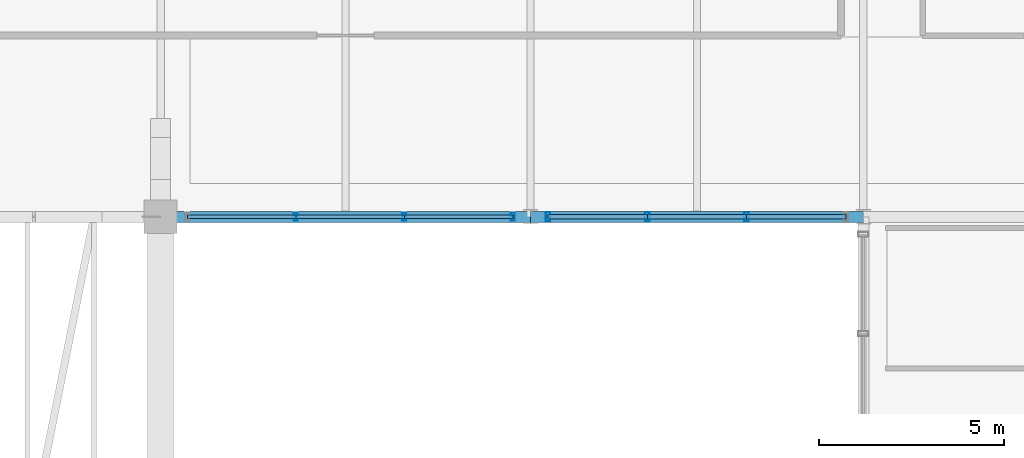
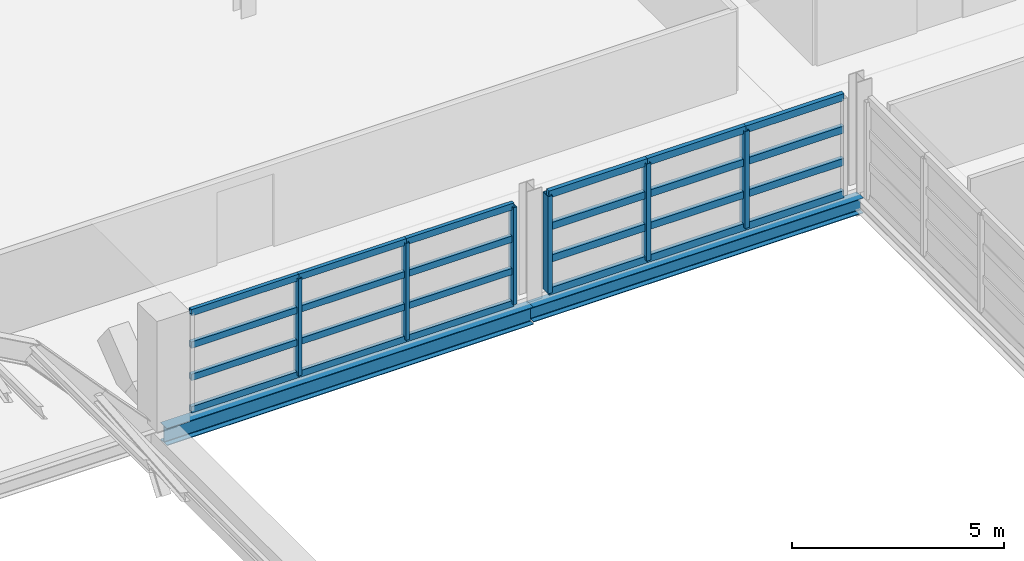
# One storey, part 46 of 86: 30 members, 2 beams, 2 elements without a shape of their own.
"""IFC4 building model written with IfcOpenShell, lengths in metres."""

from ifc_helpers import new_model, si_unit, direction, frame, origin, origin_2d, place, context, subcontext, project, spatial, hollow_rectangle, i_section, extrude, material, material_profile, profile_set, type_object, element, aggregate, save


model = new_model("IFC4")

# Units and contexts
model_context = context("Model", 3, precision=1e-05, world=origin(), true_north=direction((0.0, 1.0)))
body_context = subcontext(model_context, "Body", "Model", "MODEL_VIEW")
ifc_project = project(units=[si_unit("LENGTHUNIT", "METRE"), si_unit("AREAUNIT", "SQUARE_METRE"), si_unit("VOLUMEUNIT", "CUBIC_METRE"), si_unit("PLANEANGLEUNIT", "RADIAN"), si_unit("MASSUNIT", "GRAM", prefix="KILO")], contexts=[model_context])

# Site, building, storey
site_placement = place(None, origin())
site = spatial("IfcSite", under=ifc_project, at=site_placement, CompositionType="ELEMENT")
building_placement = place(site_placement, origin())
building = spatial("IfcBuilding", under=site, at=building_placement, Name="Chuanluo Vaults Station", CompositionType="ELEMENT")
storey_placement = place(building_placement, frame((0.0, 0.0, 14.39990234375)))
storey = spatial("IfcBuildingStorey", under=building, at=storey_placement, Name="L03", CompositionType="ELEMENT", Elevation=14.39990234375)

# Beams
ifc_material_1 = material(Name="Steel Q355C", Category="steel")
ifc_material_profile_1 = material_profile(ifc_material_1, i_section(OverallWidth=0.300048828125, OverallDepth=0.43994140625, WebThickness=0.010986328125, FlangeThickness=0.01806640625, FilletRadius=0.02001953125, at=origin_2d()))
ifc_profile_set_1 = profile_set([ifc_material_profile_1], Name="Steel Q355C")
beam_type_1 = type_object("IfcBeamType", Name="BM-GRD-450", PredefinedType="USERDEFINED", material=ifc_profile_set_1)
beam_1_placement = place(storey_placement, frame((136.0, 103.5, -0.43994140625), z_axis=(1.0, 0.0, 0.0), x_axis=(0.0, 1.0, 0.0)))
element("IfcBeam", 1, at=beam_1_placement, inside=storey, type_object=beam_type_1, Name="Floor girder BM:GX:L03:0755", ObjectType="GIRDER", PredefinedType="USERDEFINED", context=body_context, shape_type="SweptSolid", body=[
    extrude(i_section(OverallWidth=0.300048828125, OverallDepth=0.43994140625, WebThickness=0.010986328125, FlangeThickness=0.01806640625, FilletRadius=0.02001953125, at=origin_2d()), origin(), (0.0, 0.0, 1.0), 9.0),
])
ifc_material_2 = material(Name="Steel Q355C", Category="steel")
ifc_material_profile_2 = material_profile(ifc_material_2, i_section(OverallWidth=0.300048828125, OverallDepth=0.5, WebThickness=0.010986328125, FlangeThickness=0.01806640625, FilletRadius=0.02001953125, at=origin_2d()))
ifc_profile_set_2 = profile_set([ifc_material_profile_2], Name="Steel Q355C")
beam_type_2 = type_object("IfcBeamType", Name="BM-GRD-500", PredefinedType="USERDEFINED", material=ifc_profile_set_2)
beam_2_placement = place(storey_placement, frame((126.0, 103.5, -0.469970703125), z_axis=(1.0, 0.0, 0.0), x_axis=(0.0, 1.0, 0.0)))
element("IfcBeam", 2, at=beam_2_placement, inside=storey, type_object=beam_type_2, Name="Floor girder BM:GX:L03:0754", ObjectType="GIRDER", PredefinedType="USERDEFINED", context=body_context, shape_type="SweptSolid", body=[
    extrude(i_section(OverallWidth=0.300048828125, OverallDepth=0.5, WebThickness=0.010986328125, FlangeThickness=0.01806640625, FilletRadius=0.02001953125, at=origin_2d()), origin(), (0.0, 0.0, 1.0), 10.0),
])

# Curtain wall, members
ifc_material_3 = material(Name="Anodised aluminium 6063-T6", Category="aluminium")
curtain_wall_type_1 = type_object("IfcCurtainWallType", Name="CW-SYS-28", PredefinedType="NOTDEFINED", material=ifc_material_3)
curtain_wall_1_placement = place(storey_placement, origin())
curtain_wall_1 = element("IfcCurtainWall", 3, at=curtain_wall_1_placement, inside=storey, type_object=curtain_wall_type_1, Name="Operations L03 facade CW part 2", PredefinedType="NOTDEFINED")
ifc_material_4 = material(Name="Anodised aluminium 6063-T6", Category="aluminium")
ifc_material_profile_3 = material_profile(ifc_material_4, hollow_rectangle(XDim=0.10498046875, YDim=0.219970703125, WallThickness=0.006103515625, at=origin_2d()))
ifc_profile_set_3 = profile_set([ifc_material_profile_3], Name="Anodised aluminium 6063-T6")
member_type_1 = type_object("IfcMemberType", Name="CWM-140", PredefinedType="MULLION", material=ifc_profile_set_3)
member_1_placement = place(storey_placement, frame((135.52490234375, 103.5, 0.0), z_axis=(0.0, 0.0, 1.0), x_axis=(-1.0, 0.0, 0.0)))
member_1 = element("IfcMember", 4, at=member_1_placement, type_object=member_type_1, Name="Operations L03 facade CW part 2 mullion 1", PredefinedType="MULLION", context=body_context, shape_type="SweptSolid", body=[
    extrude(hollow_rectangle(XDim=0.10498046875, YDim=0.219970703125, WallThickness=0.006103515625, at=origin_2d()), origin(), (0.0, 0.0, 1.0), 2.800048828125),
])
member_2_placement = place(storey_placement, frame((132.591796875, 103.5, 0.0), z_axis=(0.0, 0.0, 1.0), x_axis=(-1.0, 0.0, 0.0)))
member_2 = element("IfcMember", 5, at=member_2_placement, type_object=member_type_1, Name="Operations L03 facade CW part 2 mullion 2", PredefinedType="MULLION", context=body_context, shape_type="SweptSolid", body=[
    extrude(hollow_rectangle(XDim=0.10498046875, YDim=0.219970703125, WallThickness=0.006103515625, at=origin_2d()), origin(), (0.0, 0.0, 1.0), 2.800048828125),
])
member_3_placement = place(storey_placement, frame((129.658203125, 103.5, 0.0), z_axis=(0.0, 0.0, 1.0), x_axis=(-1.0, 0.0, 0.0)))
member_3 = element("IfcMember", 6, at=member_3_placement, type_object=member_type_1, Name="Operations L03 facade CW part 2 mullion 3", PredefinedType="MULLION", context=body_context, shape_type="SweptSolid", body=[
    extrude(hollow_rectangle(XDim=0.10498046875, YDim=0.219970703125, WallThickness=0.006103515625, at=origin_2d()), origin(), (0.0, 0.0, 1.0), 2.800048828125),
])

ifc_material_5 = material(Name="Anodised aluminium 6063-T6", Category="aluminium")
curtain_wall_type_2 = type_object("IfcCurtainWallType", Name="CW-SYS-27", PredefinedType="NOTDEFINED", material=ifc_material_5)
curtain_wall_2_placement = place(storey_placement, origin())
curtain_wall_2 = element("IfcCurtainWall", 7, at=curtain_wall_2_placement, inside=storey, type_object=curtain_wall_type_2, Name="Operations L03 facade CW part 1", PredefinedType="NOTDEFINED")
ifc_material_6 = material(Name="Anodised aluminium 6063-T6", Category="aluminium")
ifc_material_profile_4 = material_profile(ifc_material_6, hollow_rectangle(XDim=0.1201171875, YDim=0.25, WallThickness=0.006103515625, at=origin_2d()))
ifc_profile_set_4 = profile_set([ifc_material_profile_4], Name="Anodised aluminium 6063-T6")
member_type_2 = type_object("IfcMemberType", Name="CWM-160", PredefinedType="MULLION", material=ifc_profile_set_4)
member_4_placement = place(storey_placement, frame((141.841796875, 103.5, 0.0), z_axis=(0.0, 0.0, 1.0), x_axis=(-1.0, 0.0, 0.0)))
member_4 = element("IfcMember", 8, at=member_4_placement, type_object=member_type_2, Name="Operations L03 facade CW part 1 mullion 2", PredefinedType="MULLION", context=body_context, shape_type="SweptSolid", body=[
    extrude(hollow_rectangle(XDim=0.1201171875, YDim=0.25, WallThickness=0.006103515625, at=origin_2d()), origin(), (0.0, 0.0, 1.0), 2.800048828125),
])
member_5_placement = place(storey_placement, frame((139.158203125, 103.5, 0.0), z_axis=(0.0, 0.0, 1.0), x_axis=(-1.0, 0.0, 0.0)))
member_5 = element("IfcMember", 9, at=member_5_placement, type_object=member_type_2, Name="Operations L03 facade CW part 1 mullion 3", PredefinedType="MULLION", context=body_context, shape_type="SweptSolid", body=[
    extrude(hollow_rectangle(XDim=0.1201171875, YDim=0.25, WallThickness=0.006103515625, at=origin_2d()), origin(), (0.0, 0.0, 1.0), 2.800048828125),
])
member_6_placement = place(storey_placement, frame((136.47509765625, 103.5, 0.0), z_axis=(0.0, 0.0, 1.0), x_axis=(-1.0, 0.0, 0.0)))
member_6 = element("IfcMember", 10, at=member_6_placement, type_object=member_type_2, Name="Operations L03 facade CW part 1 mullion 4", PredefinedType="MULLION", context=body_context, shape_type="SweptSolid", body=[
    extrude(hollow_rectangle(XDim=0.1201171875, YDim=0.25, WallThickness=0.006103515625, at=origin_2d()), origin(), (0.0, 0.0, 1.0), 2.800048828125),
])

# Member
ifc_material_7 = material(Name="Anodised aluminium 6063-T6", Category="aluminium")
ifc_material_profile_5 = material_profile(ifc_material_7, hollow_rectangle(XDim=0.10498046875, YDim=0.18505859375, WallThickness=0.0048828125, at=origin_2d()))
ifc_profile_set_5 = profile_set([ifc_material_profile_5], Name="Anodised aluminium 6063-T6")
member_type_3 = type_object("IfcMemberType", Name="CWT-110", PredefinedType="USERDEFINED", material=ifc_profile_set_5)
member_7_placement = place(storey_placement, frame((135.52490234375, 103.5, 0.0), z_axis=(-1.0, 0.0, 0.0), x_axis=(0.0, -1.0, 0.0)))
member_7 = element("IfcMember", 11, at=member_7_placement, type_object=member_type_3, Name="Operations L03 facade CW part 2 transom 1.1", ObjectType="TRANSOM", PredefinedType="USERDEFINED", context=body_context, shape_type="SweptSolid", body=[
    extrude(hollow_rectangle(XDim=0.10498046875, YDim=0.18505859375, WallThickness=0.0048828125, at=origin_2d()), origin(), (0.0, 0.0, 1.0), 2.93310546875),
])

member_8_placement = place(storey_placement, frame((135.52490234375, 103.5, 0.933349609375), z_axis=(-1.0, 0.0, 0.0), x_axis=(0.0, -1.0, 0.0)))
member_8 = element("IfcMember", 12, at=member_8_placement, type_object=member_type_3, Name="Operations L03 facade CW part 2 transom 1.2", ObjectType="TRANSOM", PredefinedType="USERDEFINED", context=body_context, shape_type="SweptSolid", body=[
    extrude(hollow_rectangle(XDim=0.10498046875, YDim=0.18505859375, WallThickness=0.0048828125, at=origin_2d()), origin(), (0.0, 0.0, 1.0), 2.93310546875),
])

member_9_placement = place(storey_placement, frame((135.52490234375, 103.5, 1.86669921875), z_axis=(-1.0, 0.0, 0.0), x_axis=(0.0, -1.0, 0.0)))
member_9 = element("IfcMember", 13, at=member_9_placement, type_object=member_type_3, Name="Operations L03 facade CW part 2 transom 1.3", ObjectType="TRANSOM", PredefinedType="USERDEFINED", context=body_context, shape_type="SweptSolid", body=[
    extrude(hollow_rectangle(XDim=0.10498046875, YDim=0.18505859375, WallThickness=0.0048828125, at=origin_2d()), origin(), (0.0, 0.0, 1.0), 2.93310546875),
])

member_10_placement = place(storey_placement, frame((135.52490234375, 103.5, 2.800048828125), z_axis=(-1.0, 0.0, 0.0), x_axis=(0.0, -1.0, 0.0)))
member_10 = element("IfcMember", 14, at=member_10_placement, type_object=member_type_3, Name="Operations L03 facade CW part 2 transom 1.4", ObjectType="TRANSOM", PredefinedType="USERDEFINED", context=body_context, shape_type="SweptSolid", body=[
    extrude(hollow_rectangle(XDim=0.10498046875, YDim=0.18505859375, WallThickness=0.0048828125, at=origin_2d()), origin(), (0.0, 0.0, 1.0), 2.93310546875),
])

member_11_placement = place(storey_placement, frame((132.591796875, 103.5, 0.0), z_axis=(-1.0, 0.0, 0.0), x_axis=(0.0, -1.0, 0.0)))
member_11 = element("IfcMember", 15, at=member_11_placement, type_object=member_type_3, Name="Operations L03 facade CW part 2 transom 2.1", ObjectType="TRANSOM", PredefinedType="USERDEFINED", context=body_context, shape_type="SweptSolid", body=[
    extrude(hollow_rectangle(XDim=0.10498046875, YDim=0.18505859375, WallThickness=0.0048828125, at=origin_2d()), origin(), (0.0, 0.0, 1.0), 2.93359375),
])

member_12_placement = place(storey_placement, frame((132.591796875, 103.5, 0.933349609375), z_axis=(-1.0, 0.0, 0.0), x_axis=(0.0, -1.0, 0.0)))
member_12 = element("IfcMember", 16, at=member_12_placement, type_object=member_type_3, Name="Operations L03 facade CW part 2 transom 2.2", ObjectType="TRANSOM", PredefinedType="USERDEFINED", context=body_context, shape_type="SweptSolid", body=[
    extrude(hollow_rectangle(XDim=0.10498046875, YDim=0.18505859375, WallThickness=0.0048828125, at=origin_2d()), origin(), (0.0, 0.0, 1.0), 2.93359375),
])

member_13_placement = place(storey_placement, frame((132.591796875, 103.5, 1.86669921875), z_axis=(-1.0, 0.0, 0.0), x_axis=(0.0, -1.0, 0.0)))
member_13 = element("IfcMember", 17, at=member_13_placement, type_object=member_type_3, Name="Operations L03 facade CW part 2 transom 2.3", ObjectType="TRANSOM", PredefinedType="USERDEFINED", context=body_context, shape_type="SweptSolid", body=[
    extrude(hollow_rectangle(XDim=0.10498046875, YDim=0.18505859375, WallThickness=0.0048828125, at=origin_2d()), origin(), (0.0, 0.0, 1.0), 2.93359375),
])

member_14_placement = place(storey_placement, frame((132.591796875, 103.5, 2.800048828125), z_axis=(-1.0, 0.0, 0.0), x_axis=(0.0, -1.0, 0.0)))
member_14 = element("IfcMember", 18, at=member_14_placement, type_object=member_type_3, Name="Operations L03 facade CW part 2 transom 2.4", ObjectType="TRANSOM", PredefinedType="USERDEFINED", context=body_context, shape_type="SweptSolid", body=[
    extrude(hollow_rectangle(XDim=0.10498046875, YDim=0.18505859375, WallThickness=0.0048828125, at=origin_2d()), origin(), (0.0, 0.0, 1.0), 2.93359375),
])

member_15_placement = place(storey_placement, frame((129.658203125, 103.5, 0.0), z_axis=(-1.0, 0.0, 0.0), x_axis=(0.0, -1.0, 0.0)))
member_15 = element("IfcMember", 19, at=member_15_placement, type_object=member_type_3, Name="Operations L03 facade CW part 2 transom 3.1", ObjectType="TRANSOM", PredefinedType="USERDEFINED", context=body_context, shape_type="SweptSolid", body=[
    extrude(hollow_rectangle(XDim=0.10498046875, YDim=0.18505859375, WallThickness=0.0048828125, at=origin_2d()), origin(), (0.0, 0.0, 1.0), 2.93310546875),
])

member_16_placement = place(storey_placement, frame((129.658203125, 103.5, 0.933349609375), z_axis=(-1.0, 0.0, 0.0), x_axis=(0.0, -1.0, 0.0)))
member_16 = element("IfcMember", 20, at=member_16_placement, type_object=member_type_3, Name="Operations L03 facade CW part 2 transom 3.2", ObjectType="TRANSOM", PredefinedType="USERDEFINED", context=body_context, shape_type="SweptSolid", body=[
    extrude(hollow_rectangle(XDim=0.10498046875, YDim=0.18505859375, WallThickness=0.0048828125, at=origin_2d()), origin(), (0.0, 0.0, 1.0), 2.93310546875),
])

member_17_placement = place(storey_placement, frame((129.658203125, 103.5, 1.86669921875), z_axis=(-1.0, 0.0, 0.0), x_axis=(0.0, -1.0, 0.0)))
member_17 = element("IfcMember", 21, at=member_17_placement, type_object=member_type_3, Name="Operations L03 facade CW part 2 transom 3.3", ObjectType="TRANSOM", PredefinedType="USERDEFINED", context=body_context, shape_type="SweptSolid", body=[
    extrude(hollow_rectangle(XDim=0.10498046875, YDim=0.18505859375, WallThickness=0.0048828125, at=origin_2d()), origin(), (0.0, 0.0, 1.0), 2.93310546875),
])

member_18_placement = place(storey_placement, frame((129.658203125, 103.5, 2.800048828125), z_axis=(-1.0, 0.0, 0.0), x_axis=(0.0, -1.0, 0.0)))
member_18 = element("IfcMember", 22, at=member_18_placement, type_object=member_type_3, Name="Operations L03 facade CW part 2 transom 3.4", ObjectType="TRANSOM", PredefinedType="USERDEFINED", context=body_context, shape_type="SweptSolid", body=[
    extrude(hollow_rectangle(XDim=0.10498046875, YDim=0.18505859375, WallThickness=0.0048828125, at=origin_2d()), origin(), (0.0, 0.0, 1.0), 2.93310546875),
])

aggregate(curtain_wall_1, [member_1, member_2, member_3, member_7, member_8, member_9, member_10, member_11, member_12, member_13, member_14, member_15, member_16, member_17, member_18])

ifc_material_8 = material(Name="Anodised aluminium 6063-T6", Category="aluminium")
ifc_material_profile_6 = material_profile(ifc_material_8, hollow_rectangle(XDim=0.1201171875, YDim=0.205078125, WallThickness=0.006103515625, at=origin_2d()))
ifc_profile_set_6 = profile_set([ifc_material_profile_6], Name="Anodised aluminium 6063-T6")
member_type_4 = type_object("IfcMemberType", Name="CWT-130", PredefinedType="USERDEFINED", material=ifc_profile_set_6)
member_19_placement = place(storey_placement, frame((144.52490234375, 103.5, 0.0), z_axis=(-1.0, 0.0, 0.0), x_axis=(0.0, -1.0, 0.0)))
member_19 = element("IfcMember", 23, at=member_19_placement, type_object=member_type_4, Name="Operations L03 facade CW part 1 transom 1.1", ObjectType="TRANSOM", PredefinedType="USERDEFINED", context=body_context, shape_type="SweptSolid", body=[
    extrude(hollow_rectangle(XDim=0.1201171875, YDim=0.205078125, WallThickness=0.006103515625, at=origin_2d()), origin(), (0.0, 0.0, 1.0), 2.68310546875),
])

member_20_placement = place(storey_placement, frame((144.52490234375, 103.5, 0.933349609375), z_axis=(-1.0, 0.0, 0.0), x_axis=(0.0, -1.0, 0.0)))
member_20 = element("IfcMember", 24, at=member_20_placement, type_object=member_type_4, Name="Operations L03 facade CW part 1 transom 1.2", ObjectType="TRANSOM", PredefinedType="USERDEFINED", context=body_context, shape_type="SweptSolid", body=[
    extrude(hollow_rectangle(XDim=0.1201171875, YDim=0.205078125, WallThickness=0.006103515625, at=origin_2d()), origin(), (0.0, 0.0, 1.0), 2.68310546875),
])

member_21_placement = place(storey_placement, frame((144.52490234375, 103.5, 1.86669921875), z_axis=(-1.0, 0.0, 0.0), x_axis=(0.0, -1.0, 0.0)))
member_21 = element("IfcMember", 25, at=member_21_placement, type_object=member_type_4, Name="Operations L03 facade CW part 1 transom 1.3", ObjectType="TRANSOM", PredefinedType="USERDEFINED", context=body_context, shape_type="SweptSolid", body=[
    extrude(hollow_rectangle(XDim=0.1201171875, YDim=0.205078125, WallThickness=0.006103515625, at=origin_2d()), origin(), (0.0, 0.0, 1.0), 2.68310546875),
])

member_22_placement = place(storey_placement, frame((144.52490234375, 103.5, 2.800048828125), z_axis=(-1.0, 0.0, 0.0), x_axis=(0.0, -1.0, 0.0)))
member_22 = element("IfcMember", 26, at=member_22_placement, type_object=member_type_4, Name="Operations L03 facade CW part 1 transom 1.4", ObjectType="TRANSOM", PredefinedType="USERDEFINED", context=body_context, shape_type="SweptSolid", body=[
    extrude(hollow_rectangle(XDim=0.1201171875, YDim=0.205078125, WallThickness=0.006103515625, at=origin_2d()), origin(), (0.0, 0.0, 1.0), 2.68310546875),
])

member_23_placement = place(storey_placement, frame((141.841796875, 103.5, 0.0), z_axis=(-1.0, 0.0, 0.0), x_axis=(0.0, -1.0, 0.0)))
member_23 = element("IfcMember", 27, at=member_23_placement, type_object=member_type_4, Name="Operations L03 facade CW part 1 transom 2.1", ObjectType="TRANSOM", PredefinedType="USERDEFINED", context=body_context, shape_type="SweptSolid", body=[
    extrude(hollow_rectangle(XDim=0.1201171875, YDim=0.205078125, WallThickness=0.006103515625, at=origin_2d()), origin(), (0.0, 0.0, 1.0), 2.68359375),
])

member_24_placement = place(storey_placement, frame((141.841796875, 103.5, 0.933349609375), z_axis=(-1.0, 0.0, 0.0), x_axis=(0.0, -1.0, 0.0)))
member_24 = element("IfcMember", 28, at=member_24_placement, type_object=member_type_4, Name="Operations L03 facade CW part 1 transom 2.2", ObjectType="TRANSOM", PredefinedType="USERDEFINED", context=body_context, shape_type="SweptSolid", body=[
    extrude(hollow_rectangle(XDim=0.1201171875, YDim=0.205078125, WallThickness=0.006103515625, at=origin_2d()), origin(), (0.0, 0.0, 1.0), 2.68359375),
])

member_25_placement = place(storey_placement, frame((141.841796875, 103.5, 1.86669921875), z_axis=(-1.0, 0.0, 0.0), x_axis=(0.0, -1.0, 0.0)))
member_25 = element("IfcMember", 29, at=member_25_placement, type_object=member_type_4, Name="Operations L03 facade CW part 1 transom 2.3", ObjectType="TRANSOM", PredefinedType="USERDEFINED", context=body_context, shape_type="SweptSolid", body=[
    extrude(hollow_rectangle(XDim=0.1201171875, YDim=0.205078125, WallThickness=0.006103515625, at=origin_2d()), origin(), (0.0, 0.0, 1.0), 2.68359375),
])

member_26_placement = place(storey_placement, frame((141.841796875, 103.5, 2.800048828125), z_axis=(-1.0, 0.0, 0.0), x_axis=(0.0, -1.0, 0.0)))
member_26 = element("IfcMember", 30, at=member_26_placement, type_object=member_type_4, Name="Operations L03 facade CW part 1 transom 2.4", ObjectType="TRANSOM", PredefinedType="USERDEFINED", context=body_context, shape_type="SweptSolid", body=[
    extrude(hollow_rectangle(XDim=0.1201171875, YDim=0.205078125, WallThickness=0.006103515625, at=origin_2d()), origin(), (0.0, 0.0, 1.0), 2.68359375),
])

member_27_placement = place(storey_placement, frame((139.158203125, 103.5, 0.0), z_axis=(-1.0, 0.0, 0.0), x_axis=(0.0, -1.0, 0.0)))
member_27 = element("IfcMember", 31, at=member_27_placement, type_object=member_type_4, Name="Operations L03 facade CW part 1 transom 3.1", ObjectType="TRANSOM", PredefinedType="USERDEFINED", context=body_context, shape_type="SweptSolid", body=[
    extrude(hollow_rectangle(XDim=0.1201171875, YDim=0.205078125, WallThickness=0.006103515625, at=origin_2d()), origin(), (0.0, 0.0, 1.0), 2.68310546875),
])

member_28_placement = place(storey_placement, frame((139.158203125, 103.5, 0.933349609375), z_axis=(-1.0, 0.0, 0.0), x_axis=(0.0, -1.0, 0.0)))
member_28 = element("IfcMember", 32, at=member_28_placement, type_object=member_type_4, Name="Operations L03 facade CW part 1 transom 3.2", ObjectType="TRANSOM", PredefinedType="USERDEFINED", context=body_context, shape_type="SweptSolid", body=[
    extrude(hollow_rectangle(XDim=0.1201171875, YDim=0.205078125, WallThickness=0.006103515625, at=origin_2d()), origin(), (0.0, 0.0, 1.0), 2.68310546875),
])

member_29_placement = place(storey_placement, frame((139.158203125, 103.5, 1.86669921875), z_axis=(-1.0, 0.0, 0.0), x_axis=(0.0, -1.0, 0.0)))
member_29 = element("IfcMember", 33, at=member_29_placement, type_object=member_type_4, Name="Operations L03 facade CW part 1 transom 3.3", ObjectType="TRANSOM", PredefinedType="USERDEFINED", context=body_context, shape_type="SweptSolid", body=[
    extrude(hollow_rectangle(XDim=0.1201171875, YDim=0.205078125, WallThickness=0.006103515625, at=origin_2d()), origin(), (0.0, 0.0, 1.0), 2.68310546875),
])

member_30_placement = place(storey_placement, frame((139.158203125, 103.5, 2.800048828125), z_axis=(-1.0, 0.0, 0.0), x_axis=(0.0, -1.0, 0.0)))
member_30 = element("IfcMember", 34, at=member_30_placement, type_object=member_type_4, Name="Operations L03 facade CW part 1 transom 3.4", ObjectType="TRANSOM", PredefinedType="USERDEFINED", context=body_context, shape_type="SweptSolid", body=[
    extrude(hollow_rectangle(XDim=0.1201171875, YDim=0.205078125, WallThickness=0.006103515625, at=origin_2d()), origin(), (0.0, 0.0, 1.0), 2.68310546875),
])

aggregate(curtain_wall_2, [member_4, member_5, member_6, member_19, member_20, member_21, member_22, member_23, member_24, member_25, member_26, member_27, member_28, member_29, member_30])

save(model, "model.ifc")
